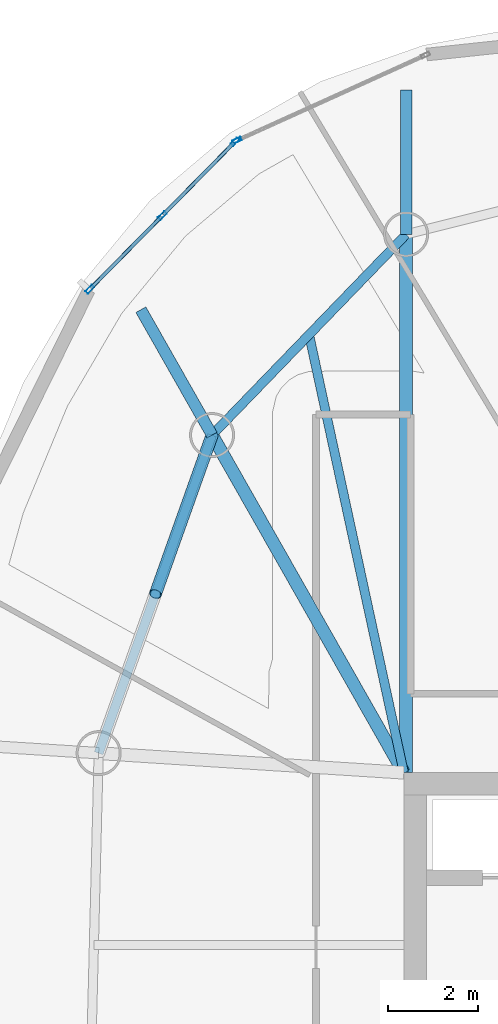
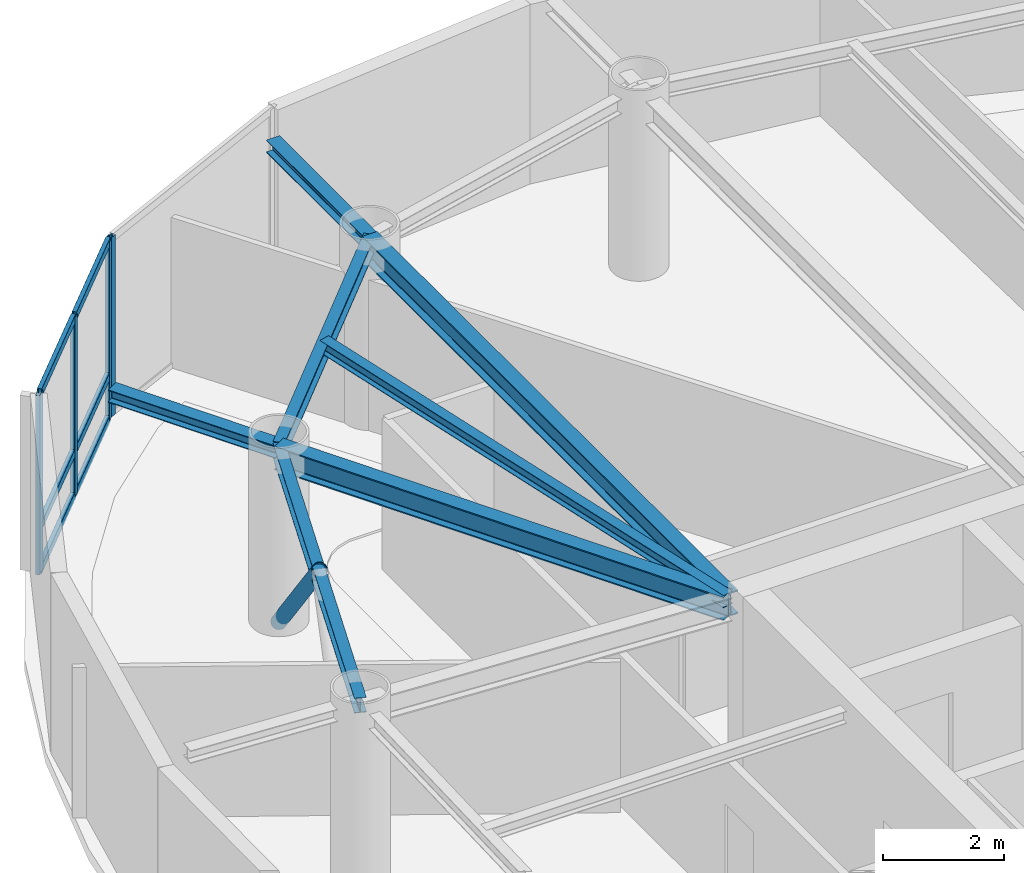
# One storey, part 12 of 22: 11 members, 7 beams, 2 elements without a shape of their own.
"""IFC4 building model written with IfcOpenShell, lengths in metres."""

import ifcopenshell
import ifcopenshell.guid

model = None  # the IFC model being written
_history = None  # IfcOwnerHistory: only IFC2X3 demands one
_inside = {}  # id of a spatial element -> (the spatial element, [elements in it])
_under = {}  # id of a project, library or spatial element -> (it, [spatial elements below it])
_declared = {}  # id of a project -> (the project, [libraries it declares])
_typed = {}  # id of a type object -> (the type object, [elements of that type])
_made_of = {}  # id of a material, layer set ... -> (it, [elements and type objects made of it])


def new_model(schema):
    """Start an empty IFC model of exactly this schema.

    Asked for "IFC4X3", IfcOpenShell would pick the latest addendum, in which some entities
    have other attributes; the version numbers below select the first issue.
    IFC2X3 requires an IfcOwnerHistory on every rooted entity: one is made here for all.
    """
    global model, _history
    if schema == "IFC4X3":
        model = ifcopenshell.file(schema_version=(4, 3, 0, 0))
    else:
        model = ifcopenshell.file(schema=schema)
    _inside.clear()
    _under.clear()
    _declared.clear()
    _typed.clear()
    _made_of.clear()
    _history = None
    if model.schema == "IFC2X3":
        org = make("IfcOrganization", Name="unknown")
        user = make(
            "IfcPersonAndOrganization",
            ThePerson=make("IfcPerson", FamilyName="unknown"),
            TheOrganization=org,
        )
        app = make(
            "IfcApplication",
            ApplicationDeveloper=org,
            Version="unknown",
            ApplicationFullName="unknown",
            ApplicationIdentifier="unknown",
        )
        _history = make(
            "IfcOwnerHistory",
            OwningUser=user,
            OwningApplication=app,
            ChangeAction="ADDED",
            CreationDate=0,
        )
    return model


def make(cls, **values):
    """One entity of the class cls with the attributes given. An attribute that is None is left unset."""
    return model.create_entity(
        cls, **{name: value for name, value in values.items() if value is not None}
    )


def rooted(cls, **values):
    """An entity with a GlobalId (a new one), such as an element, a storey or a relation."""
    return make(cls, GlobalId=ifcopenshell.guid.new(), OwnerHistory=_history, **values)


def si_unit(unit_type, name, prefix=None):
    """IfcSIUnit, for example si_unit("LENGTHUNIT", "METRE", prefix="MILLI")."""
    return make("IfcSIUnit", UnitType=unit_type, Prefix=prefix, Name=name)


def assignment(units):
    """IfcUnitAssignment: the units of a project."""
    return None if units is None else make("IfcUnitAssignment", Units=units)


def point(xyz):
    """IfcCartesianPoint."""
    return None if xyz is None else make("IfcCartesianPoint", Coordinates=xyz)


def direction(xyz):
    """IfcDirection."""
    return None if xyz is None else make("IfcDirection", DirectionRatios=xyz)


def frame(location, z_axis=None, x_axis=None):
    """IfcAxis2Placement3D, a coordinate frame: its origin and axes. An axis left out is left unset."""
    return make(
        "IfcAxis2Placement3D",
        Location=point(location),
        Axis=direction(z_axis),
        RefDirection=direction(x_axis),
    )


def frame_2d(location, x_axis=None):
    """IfcAxis2Placement2D, a coordinate frame in the plane: its origin and x axis."""
    return make(
        "IfcAxis2Placement2D", Location=point(location), RefDirection=direction(x_axis)
    )


def origin():
    """The frame at (0, 0, 0) with its axes left unset."""
    return frame((0.0, 0.0, 0.0))


def origin_2d():
    """The frame at (0, 0) in the plane with its x axis left unset."""
    return frame_2d((0.0, 0.0))


def place(relative_to, where):
    """IfcLocalPlacement: puts the frame where relative to a parent placement (None: the world)."""
    return make(
        "IfcLocalPlacement", PlacementRelTo=relative_to, RelativePlacement=where
    )


def context(
    kind, dimensions, precision=None, world=None, true_north=None, identifier=None
):
    """IfcGeometricRepresentationContext, for example the 3D "Model" context."""
    return make(
        "IfcGeometricRepresentationContext",
        ContextIdentifier=identifier,
        ContextType=kind,
        CoordinateSpaceDimension=dimensions,
        Precision=precision,
        WorldCoordinateSystem=world,
        TrueNorth=true_north,
    )


def subcontext(parent, identifier, kind, view, scale=None):
    """IfcGeometricRepresentationSubContext, for example "Body" below "Model"."""
    return make(
        "IfcGeometricRepresentationSubContext",
        ContextIdentifier=identifier,
        ContextType=kind,
        ParentContext=parent,
        TargetScale=scale,
        TargetView=view,
    )


def project(units=None, contexts=None):
    """IfcProject with its units and contexts."""
    return rooted(
        "IfcProject",
        Name="project",
        RepresentationContexts=contexts,
        UnitsInContext=assignment(units),
    )


def spatial(cls, under=None, at=None, **own):
    """A site, building, storey or space (cls), placed at a placement, below another one or the project."""
    s = rooted(cls, ObjectPlacement=at, **own)
    if under is not None:
        _under.setdefault(under.id(), (under, []))[1].append(s)
    return s


def profile(cls, at=None, kind="AREA", **sizes):
    """A parametric profile (cls). Its sizes go by their IFC names, for example OverallWidth=200.0."""
    return make(cls, ProfileType=kind, Position=at, **sizes)


def hollow_rectangle(**sizes):
    """IfcRectangleHollowProfileDef."""
    return profile("IfcRectangleHollowProfileDef", **sizes)


def hollow_circle(**sizes):
    """IfcCircleHollowProfileDef."""
    return profile("IfcCircleHollowProfileDef", **sizes)


def i_section(**sizes):
    """IfcIShapeProfileDef."""
    return profile("IfcIShapeProfileDef", **sizes)


def extrude(swept, where, along, depth):
    """IfcExtrudedAreaSolid: the profile swept, set in the frame where, extruded along a direction by depth."""
    return make(
        "IfcExtrudedAreaSolid",
        SweptArea=swept,
        Position=where,
        ExtrudedDirection=direction(along),
        Depth=depth,
    )


def shape(context_of_items, identifier, shape_type, items):
    """IfcShapeRepresentation: the items that make up one representation, for example the "Body"."""
    return make(
        "IfcShapeRepresentation",
        ContextOfItems=context_of_items,
        RepresentationIdentifier=identifier,
        RepresentationType=shape_type,
        Items=items,
    )


def material(Name=None, Category=None):
    """IfcMaterial."""
    return make("IfcMaterial", Name=Name, Category=Category)


def layer(
    of_material, thickness, ventilated=None, Name=None, Category=None, Priority=None
):
    """IfcMaterialLayer: one layer of a wall or slab, of a material (None: an air gap)."""
    return make(
        "IfcMaterialLayer",
        Material=of_material,
        LayerThickness=thickness,
        IsVentilated=ventilated,
        Name=Name,
        Category=Category,
        Priority=Priority,
    )


def layer_set(layers, Name=None):
    """IfcMaterialLayerSet."""
    return make("IfcMaterialLayerSet", MaterialLayers=layers, LayerSetName=Name)


def material_profile(
    of_material, cross_section, Name=None, Category=None, Priority=None
):
    """IfcMaterialProfile: a cross section and its material."""
    return make(
        "IfcMaterialProfile",
        Name=Name,
        Material=of_material,
        Profile=cross_section,
        Priority=Priority,
        Category=Category,
    )


def profile_set(profiles, Name=None, composite=None):
    """IfcMaterialProfileSet."""
    return make(
        "IfcMaterialProfileSet",
        Name=Name,
        MaterialProfiles=profiles,
        CompositeProfile=composite,
    )


def made_of(thing, what):
    """Note that an element or type object is made of a material, layer set ...; save() writes the relation."""
    if what is not None:
        _made_of.setdefault(what.id(), (what, []))[1].append(thing)
    return thing


def type_object(cls, material=None, **own):
    """A type object (cls), such as IfcWallType, which elements share."""
    return made_of(rooted(cls, **own), material)


def element(
    cls,
    number,
    at=None,
    inside=None,
    cuts=None,
    type_object=None,
    material=None,
    context=None,
    identifier="Body",
    shape_type=None,
    held_by="IfcProductDefinitionShape",
    body=None,
    shapes=None,
    **own,
):
    """One element of the class cls, such as IfcWall. Its Tag is "e" and its number.

    at: its placement. inside: the storey or other place that contains it. cuts: it is an
    opening in that element (IfcRelVoidsElement). A single representation is given by context,
    identifier, shape_type and body (its items); several are given by shapes. held_by: the class
    of the entity that holds the representations. save() writes the other relations.
    """
    e = rooted(cls, Tag="e%d" % number, ObjectPlacement=at, **own)
    if body is not None:
        shapes = [shape(context, identifier, shape_type, body)]
    if shapes is not None:
        e.Representation = make(held_by, Representations=shapes)
    if inside is not None:
        _inside.setdefault(inside.id(), (inside, []))[1].append(e)
    if cuts is not None:
        rooted(
            "IfcRelVoidsElement", RelatingBuildingElement=cuts, RelatedOpeningElement=e
        )
    if type_object is not None:
        _typed.setdefault(type_object.id(), (type_object, []))[1].append(e)
    return made_of(e, material)


def aggregate(whole, parts):
    """IfcRelAggregates: a whole, such as a stair, and the parts it consists of."""
    return rooted("IfcRelAggregates", RelatingObject=whole, RelatedObjects=parts)


def save(model, path):
    """Write the relations noted so far, then the file.

    IfcRelAggregates (storeys below a building ...), IfcRelContainedInSpatialStructure (elements
    in a storey), IfcRelDefinesByType, IfcRelAssociatesMaterial and IfcRelDeclares: one each for
    every whole, place, type object, material and project.
    """
    for whole, parts in _under.values():
        aggregate(whole, parts)
    for where, things in _inside.values():
        rooted(
            "IfcRelContainedInSpatialStructure",
            RelatedElements=things,
            RelatingStructure=where,
        )
    for kind, things in _typed.values():
        rooted("IfcRelDefinesByType", RelatedObjects=things, RelatingType=kind)
    for what, things in _made_of.values():
        rooted("IfcRelAssociatesMaterial", RelatedObjects=things, RelatingMaterial=what)
    for by, libraries in _declared.values():
        rooted("IfcRelDeclares", RelatingContext=by, RelatedDefinitions=libraries)
    model.write(path)


model = new_model("IFC4")

# Units and contexts
model_context = context("Model", 3, precision=1e-05, world=origin(), true_north=direction((0.0, 1.0)))
body_context = subcontext(model_context, "Body", "Model", "MODEL_VIEW")
ifc_project = project(units=[si_unit("LENGTHUNIT", "METRE"), si_unit("AREAUNIT", "SQUARE_METRE"), si_unit("VOLUMEUNIT", "CUBIC_METRE"), si_unit("PLANEANGLEUNIT", "RADIAN"), si_unit("MASSUNIT", "GRAM", prefix="KILO")], contexts=[model_context])

# Site, building, storey
site_placement = place(None, origin())
site = spatial("IfcSite", under=ifc_project, at=site_placement, CompositionType="ELEMENT")
building_placement = place(site_placement, origin())
building = spatial("IfcBuilding", under=site, at=building_placement, Name="Bramvorn Convention Spire", CompositionType="ELEMENT")
storey_placement = place(building_placement, frame((0.0, 0.0, 253.60009765625)))
storey = spatial("IfcBuildingStorey", under=building, at=storey_placement, Name="L64", CompositionType="ELEMENT", Elevation=253.60009765625)

# Beams
ifc_material_1 = material(Name="Steel CSA G40.21 Grade 350 (350W)", Category="steel")
ifc_material_profile_1 = material_profile(ifc_material_1, i_section(OverallWidth=0.201904296875, OverallDepth=0.2470703125, WebThickness=0.00732421875, FlangeThickness=0.010986328125, FilletRadius=0.011962890625, at=origin_2d()))
ifc_profile_set_1 = profile_set([ifc_material_profile_1], Name="Steel CSA G40.21 Grade 350 (350W) - W250X49")
beam_type_1 = type_object("IfcBeamType", Name="BM-W250X49", PredefinedType="JOIST", material=ifc_profile_set_1)
beam_1_placement = place(storey_placement, frame((26.75, 33.449951171875, 3.50146484375), z_axis=(-0.211461445939, 0.977386339623, 0.0), x_axis=(-0.977386339623, -0.211461445939, 0.0)))
element("IfcBeam", 1, at=beam_1_placement, inside=storey, type_object=beam_type_1, Name="L64 composite floor joist 09", PredefinedType="JOIST", context=body_context, shape_type="SweptSolid", body=[
    extrude(i_section(OverallWidth=0.201904296875, OverallDepth=0.2470703125, WebThickness=0.00732421875, FlangeThickness=0.010986328125, FilletRadius=0.011962890625, at=origin_2d()), origin(), (0.0, 0.0, 1.0), 9.9462890625),
])
ifc_material_profile_2 = material_profile(ifc_material_1, i_section(OverallWidth=0.25390625, OverallDepth=0.2529296875, WebThickness=0.008544921875, FlangeThickness=0.01416015625, FilletRadius=0.011962890625, at=origin_2d()))
ifc_profile_set_2 = profile_set([ifc_material_profile_2], Name="Steel CSA G40.21 Grade 350 (350W) - W250X73")
beam_type_2 = type_object("IfcBeamType", Name="BM-W250X73", PredefinedType="BEAM", material=ifc_profile_set_2)
beam_2_placement = place(storey_placement, frame((26.800048828125, 45.39892578125, 3.498291015625), z_axis=(0.0, 1.0, 0.0), x_axis=(-1.0, 0.0, 0.0)))
element("IfcBeam", 2, at=beam_2_placement, inside=storey, type_object=beam_type_2, Name="L64 slab-edge cantilever tip beam MC09", PredefinedType="BEAM", context=body_context, shape_type="SweptSolid", body=[
    extrude(i_section(OverallWidth=0.25390625, OverallDepth=0.2529296875, WebThickness=0.008544921875, FlangeThickness=0.01416015625, FilletRadius=0.011962890625, at=origin_2d()), origin(), (0.0, 0.0, 1.0), 3.2001953125),
])
beam_3_placement = place(storey_placement, frame((22.49365234375, 40.94384765625, 3.498291015625), z_axis=(-0.493918961888, 0.869507940785, 0.0), x_axis=(-0.869507940785, -0.493918961888, 0.0)))
element("IfcBeam", 3, at=beam_3_placement, inside=storey, type_object=beam_type_2, Name="L64 slab-edge cantilever tip beam MC10", PredefinedType="BEAM", context=body_context, shape_type="SweptSolid", body=[
    extrude(i_section(OverallWidth=0.25390625, OverallDepth=0.2529296875, WebThickness=0.008544921875, FlangeThickness=0.01416015625, FilletRadius=0.011962890625, at=origin_2d()), origin(), (0.0, 0.0, 1.0), 3.199951171875),
])
ifc_material_profile_3 = material_profile(ifc_material_1, i_section(OverallWidth=0.202880859375, OverallDepth=0.302978515625, WebThickness=0.007568359375, FlangeThickness=0.01318359375, FilletRadius=0.013916015625, at=origin_2d()))
ifc_profile_set_3 = profile_set([ifc_material_profile_3], Name="Steel CSA G40.21 Grade 350 (350W) - W310X60")
beam_type_3 = type_object("IfcBeamType", Name="BM-W310X60", PredefinedType="JOIST", material=ifc_profile_set_3)
beam_4_placement = place(storey_placement, frame((26.800048828125, 45.39892578125, 3.473388671875), z_axis=(-0.695007159797, -0.719002814898, 0.0), x_axis=(0.719002814898, -0.695007159797, 0.0)))
element("IfcBeam", 4, at=beam_4_placement, inside=storey, type_object=beam_type_3, Name="L64 mega-column ring beam 09", PredefinedType="JOIST", context=body_context, shape_type="SweptSolid", body=[
    extrude(i_section(OverallWidth=0.202880859375, OverallDepth=0.302978515625, WebThickness=0.007568359375, FlangeThickness=0.01318359375, FilletRadius=0.013916015625, at=origin_2d()), origin(), (0.0, 0.0, 1.0), 6.1962890625),
])
beam_5_placement = place(storey_placement, frame((22.49365234375, 40.94384765625, 3.473388671875), z_axis=(-0.335839090413, -0.941919373063, 0.0), x_axis=(0.941919373063, -0.335839090413, 0.0)))
element("IfcBeam", 5, at=beam_5_placement, inside=storey, type_object=beam_type_3, Name="L64 mega-column ring beam 10", PredefinedType="JOIST", context=body_context, shape_type="SweptSolid", body=[
    extrude(i_section(OverallWidth=0.202880859375, OverallDepth=0.302978515625, WebThickness=0.007568359375, FlangeThickness=0.01318359375, FilletRadius=0.013916015625, at=origin_2d()), origin(), (0.0, 0.0, 1.0), 7.49560546875),
])
ifc_material_profile_4 = material_profile(ifc_material_1, i_section(OverallWidth=0.283935546875, OverallDepth=0.47607421875, WebThickness=0.014892578125, FlangeThickness=0.02392578125, FilletRadius=0.01806640625, at=origin_2d()))
ifc_profile_set_4 = profile_set([ifc_material_profile_4], Name="Steel CSA G40.21 Grade 350 (350W) - W460X158")
beam_type_4 = type_object("IfcBeamType", Name="BM-W460X158", PredefinedType="SPANDREL", material=ifc_profile_set_4)
beam_6_placement = place(storey_placement, frame((26.800048828125, 33.449951171875, 3.386962890625), z_axis=(0.0, 1.0, 0.0), x_axis=(-1.0, 0.0, 0.0)))
element("IfcBeam", 6, at=beam_6_placement, inside=storey, type_object=beam_type_4, Name="L64 radial floor girder MC09", PredefinedType="SPANDREL", context=body_context, shape_type="SweptSolid", body=[
    extrude(i_section(OverallWidth=0.283935546875, OverallDepth=0.47607421875, WebThickness=0.014892578125, FlangeThickness=0.02392578125, FilletRadius=0.01806640625, at=origin_2d()), origin(), (0.0, 0.0, 1.0), 11.948974609375),
])
beam_7_placement = place(storey_placement, frame((26.75, 33.449951171875, 3.386962890625), z_axis=(-0.493873612118, 0.869533699895, 0.0), x_axis=(-0.869533699895, -0.493873612118, 0.0)))
element("IfcBeam", 7, at=beam_7_placement, inside=storey, type_object=beam_type_4, Name="L64 radial floor girder MC10", PredefinedType="SPANDREL", context=body_context, shape_type="SweptSolid", body=[
    extrude(i_section(OverallWidth=0.283935546875, OverallDepth=0.47607421875, WebThickness=0.014892578125, FlangeThickness=0.02392578125, FilletRadius=0.01806640625, at=origin_2d()), origin(), (0.0, 0.0, 1.0), 8.618408203125),
])

# Curtain wall, member
ifc_material_2 = material(Name="Anodised Bronze Unitised Curtain Wall", Category="aluminium")
ifc_layer = layer(ifc_material_2, 0.179931640625)
ifc_layer_set = layer_set([ifc_layer], Name="Anodised Bronze Unitised Curtain Wall - CW-OFF-FRIT")
curtain_wall_type = type_object("IfcCurtainWallType", Name="CW-OFF-FRIT", PredefinedType="USERDEFINED", material=ifc_layer_set)
curtain_wall_1_placement = place(storey_placement, origin())
curtain_wall_1 = element("IfcCurtainWall", 8, at=curtain_wall_1_placement, inside=storey, type_object=curtain_wall_type, Name="L64 fritted glass curtain wall 12", ObjectType="UNITISED CURTAIN WALL", PredefinedType="USERDEFINED")
ifc_material_3 = material(Name="Anodised Bronze Aluminium 6063-T6", Category="aluminium")
ifc_material_profile_5 = material_profile(ifc_material_3, hollow_rectangle(XDim=0.080078125, YDim=0.199951171875, WallThickness=0.00390625, InnerFilletRadius=0.0009765625, OuterFilletRadius=0.00390625, at=origin_2d()))
ifc_profile_set_5 = profile_set([ifc_material_profile_5], Name="Anodised Bronze Aluminium 6063-T6 - CWM80X200")
member_type_1 = type_object("IfcMemberType", Name="CW-MUL-180", PredefinedType="MULLION", material=ifc_profile_set_5)
member_1_placement = place(storey_placement, frame((23.048583984375, 47.48388671875, 0.0), z_axis=(0.0, 0.0, 1.0), x_axis=(-0.412373554098, 0.911014847234, 0.0)))
member_1 = element("IfcMember", 9, at=member_1_placement, type_object=member_type_1, Name="CW3 mullion 1", PredefinedType="MULLION", context=body_context, shape_type="SweptSolid", body=[
    extrude(hollow_rectangle(XDim=0.080078125, YDim=0.199951171875, WallThickness=0.00390625, InnerFilletRadius=0.0009765625, OuterFilletRadius=0.00390625, at=origin_2d()), origin(), (0.0, 0.0, 1.0), 3.625),
])
aggregate(curtain_wall_1, [member_1])

# Curtain wall, members
curtain_wall_2_placement = place(storey_placement, origin())
curtain_wall_2 = element("IfcCurtainWall", 10, at=curtain_wall_2_placement, inside=storey, type_object=curtain_wall_type, Name="L64 fritted glass curtain wall 13", ObjectType="UNITISED CURTAIN WALL", PredefinedType="USERDEFINED")
member_2_placement = place(storey_placement, frame((19.779541015625, 44.178955078125, 0.0), z_axis=(0.0, 0.0, 1.0), x_axis=(-0.712589972725, 0.701580737172, 0.0)))
member_2 = element("IfcMember", 11, at=member_2_placement, type_object=member_type_1, Name="CW3 mullion 1", PredefinedType="MULLION", context=body_context, shape_type="SweptSolid", body=[
    extrude(hollow_rectangle(XDim=0.080078125, YDim=0.199951171875, WallThickness=0.00390625, InnerFilletRadius=0.0009765625, OuterFilletRadius=0.00390625, at=origin_2d()), origin(), (0.0, 0.0, 1.0), 3.625),
])
member_3_placement = place(storey_placement, frame((21.389892578125, 45.814697265625, 0.0), z_axis=(0.0, 0.0, 1.0), x_axis=(-0.712589972725, 0.701580737172, 0.0)))
member_3 = element("IfcMember", 12, at=member_3_placement, type_object=member_type_1, Name="CW3 mullion 2", PredefinedType="MULLION", context=body_context, shape_type="SweptSolid", body=[
    extrude(hollow_rectangle(XDim=0.080078125, YDim=0.199951171875, WallThickness=0.00390625, InnerFilletRadius=0.0009765625, OuterFilletRadius=0.00390625, at=origin_2d()), origin(), (0.0, 0.0, 1.0), 3.625),
])
member_4_placement = place(storey_placement, frame((23.000244140625, 47.4501953125, 0.0), z_axis=(0.0, 0.0, 1.0), x_axis=(-0.712589972725, 0.701580737172, 0.0)))
member_4 = element("IfcMember", 13, at=member_4_placement, type_object=member_type_1, Name="CW3 mullion 3", PredefinedType="MULLION", context=body_context, shape_type="SweptSolid", body=[
    extrude(hollow_rectangle(XDim=0.080078125, YDim=0.199951171875, WallThickness=0.00390625, InnerFilletRadius=0.0009765625, OuterFilletRadius=0.00390625, at=origin_2d()), origin(), (0.0, 0.0, 1.0), 3.625),
])
ifc_material_profile_6 = material_profile(ifc_material_3, hollow_rectangle(XDim=0.080078125, YDim=0.159912109375, WallThickness=0.00390625, InnerFilletRadius=0.0009765625, OuterFilletRadius=0.00390625, at=origin_2d()))
ifc_profile_set_6 = profile_set([ifc_material_profile_6], Name="Anodised Bronze Aluminium 6063-T6 - CWT80X160")
member_type_2 = type_object("IfcMemberType", Name="CW-TRN-150", PredefinedType="USERDEFINED", material=ifc_profile_set_6)
member_5_placement = place(storey_placement, frame((19.800537109375, 44.200439453125, 0.02978515625), z_axis=(0.701569269369, 0.712601263174, 0.0), x_axis=(-0.712601263174, 0.701569269369, 0.0)))
member_5 = element("IfcMember", 14, at=member_5_placement, type_object=member_type_2, Name="CW3 transom 1.1", ObjectType="TRANSOM", PredefinedType="USERDEFINED", context=body_context, shape_type="SweptSolid", body=[
    extrude(hollow_rectangle(XDim=0.080078125, YDim=0.159912109375, WallThickness=0.00390625, InnerFilletRadius=0.0009765625, OuterFilletRadius=0.00390625, at=origin_2d()), origin(), (0.0, 0.0, 1.0), 2.235107421875),
])
member_6_placement = place(storey_placement, frame((19.800537109375, 44.200439453125, 0.89990234375), z_axis=(0.701569269369, 0.712601263174, 0.0), x_axis=(-0.712601263174, 0.701569269369, 0.0)))
member_6 = element("IfcMember", 15, at=member_6_placement, type_object=member_type_2, Name="CW3 transom 1.2", ObjectType="TRANSOM", PredefinedType="USERDEFINED", context=body_context, shape_type="SweptSolid", body=[
    extrude(hollow_rectangle(XDim=0.080078125, YDim=0.159912109375, WallThickness=0.00390625, InnerFilletRadius=0.0009765625, OuterFilletRadius=0.00390625, at=origin_2d()), origin(), (0.0, 0.0, 1.0), 2.235107421875),
])
member_7_placement = place(storey_placement, frame((19.800537109375, 44.200439453125, 3.594970703125), z_axis=(0.701569269369, 0.712601263174, 0.0), x_axis=(-0.712601263174, 0.701569269369, 0.0)))
member_7 = element("IfcMember", 16, at=member_7_placement, type_object=member_type_2, Name="CW3 transom 1.3", ObjectType="TRANSOM", PredefinedType="USERDEFINED", context=body_context, shape_type="SweptSolid", body=[
    extrude(hollow_rectangle(XDim=0.080078125, YDim=0.159912109375, WallThickness=0.00390625, InnerFilletRadius=0.0009765625, OuterFilletRadius=0.00390625, at=origin_2d()), origin(), (0.0, 0.0, 1.0), 2.235107421875),
])
member_8_placement = place(storey_placement, frame((21.410888671875, 45.8359375, 0.02978515625), z_axis=(0.701514664376, 0.712655018691, 0.0), x_axis=(-0.712655018691, 0.701514664376, 0.0)))
member_8 = element("IfcMember", 17, at=member_8_placement, type_object=member_type_2, Name="CW3 transom 2.1", ObjectType="TRANSOM", PredefinedType="USERDEFINED", context=body_context, shape_type="SweptSolid", body=[
    extrude(hollow_rectangle(XDim=0.080078125, YDim=0.159912109375, WallThickness=0.00390625, InnerFilletRadius=0.0009765625, OuterFilletRadius=0.00390625, at=origin_2d()), origin(), (0.0, 0.0, 1.0), 2.2353515625),
])
member_9_placement = place(storey_placement, frame((21.410888671875, 45.8359375, 0.89990234375), z_axis=(0.701514664376, 0.712655018691, 0.0), x_axis=(-0.712655018691, 0.701514664376, 0.0)))
member_9 = element("IfcMember", 18, at=member_9_placement, type_object=member_type_2, Name="CW3 transom 2.2", ObjectType="TRANSOM", PredefinedType="USERDEFINED", context=body_context, shape_type="SweptSolid", body=[
    extrude(hollow_rectangle(XDim=0.080078125, YDim=0.159912109375, WallThickness=0.00390625, InnerFilletRadius=0.0009765625, OuterFilletRadius=0.00390625, at=origin_2d()), origin(), (0.0, 0.0, 1.0), 2.2353515625),
])
member_10_placement = place(storey_placement, frame((21.410888671875, 45.8359375, 3.594970703125), z_axis=(0.701514664376, 0.712655018691, 0.0), x_axis=(-0.712655018691, 0.701514664376, 0.0)))
member_10 = element("IfcMember", 19, at=member_10_placement, type_object=member_type_2, Name="CW3 transom 2.3", ObjectType="TRANSOM", PredefinedType="USERDEFINED", context=body_context, shape_type="SweptSolid", body=[
    extrude(hollow_rectangle(XDim=0.080078125, YDim=0.159912109375, WallThickness=0.00390625, InnerFilletRadius=0.0009765625, OuterFilletRadius=0.00390625, at=origin_2d()), origin(), (0.0, 0.0, 1.0), 2.2353515625),
])
aggregate(curtain_wall_2, [member_2, member_3, member_4, member_5, member_6, member_7, member_8, member_9, member_10])

# Member
ifc_material_profile_7 = material_profile(ifc_material_1, hollow_circle(Radius=0.136474609375, WallThickness=0.0126953125, at=origin_2d()))
ifc_profile_set_7 = profile_set([ifc_material_profile_7], Name="Steel CSA G40.21 Grade 350 (350W) - CHS273X13")
member_type_3 = type_object("IfcMemberType", Name="MBR-CHS273X13", PredefinedType="BRACE", material=ifc_profile_set_7)
member_11_placement = place(storey_placement, frame((22.49365234375, 40.94384765625, 0.0), z_axis=(-0.241415019829, -0.677048329465, 0.695215324751), x_axis=(0.941912743486, -0.335857683639, 0.0)))
element("IfcMember", 20, at=member_11_placement, inside=storey, type_object=member_type_3, Name="L64 perimeter Gothic lancet brace 10A", PredefinedType="BRACE", context=body_context, shape_type="SweptSolid", body=[
    extrude(hollow_circle(Radius=0.136474609375, WallThickness=0.0126953125, at=origin_2d()), origin(), (0.0, 0.0, 1.0), 5.214111328125),
])

save(model, "model.ifc")
